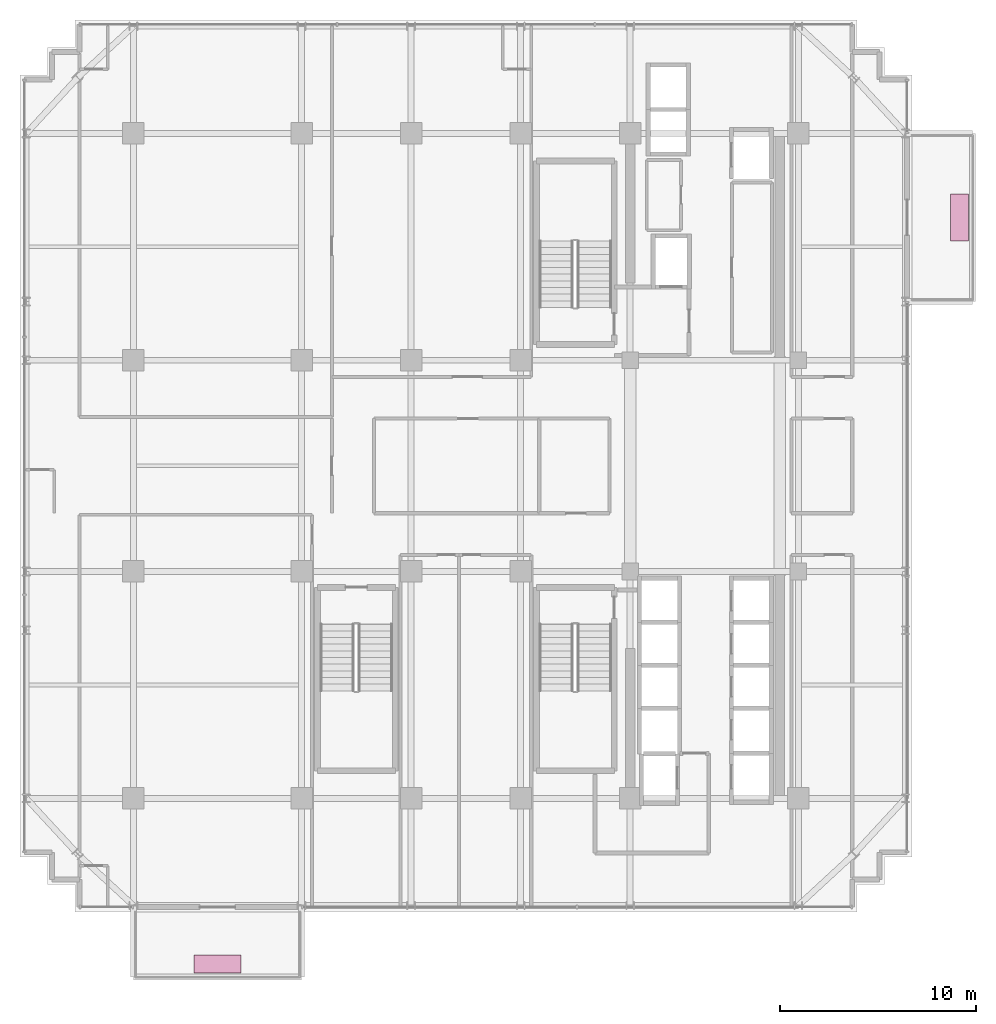
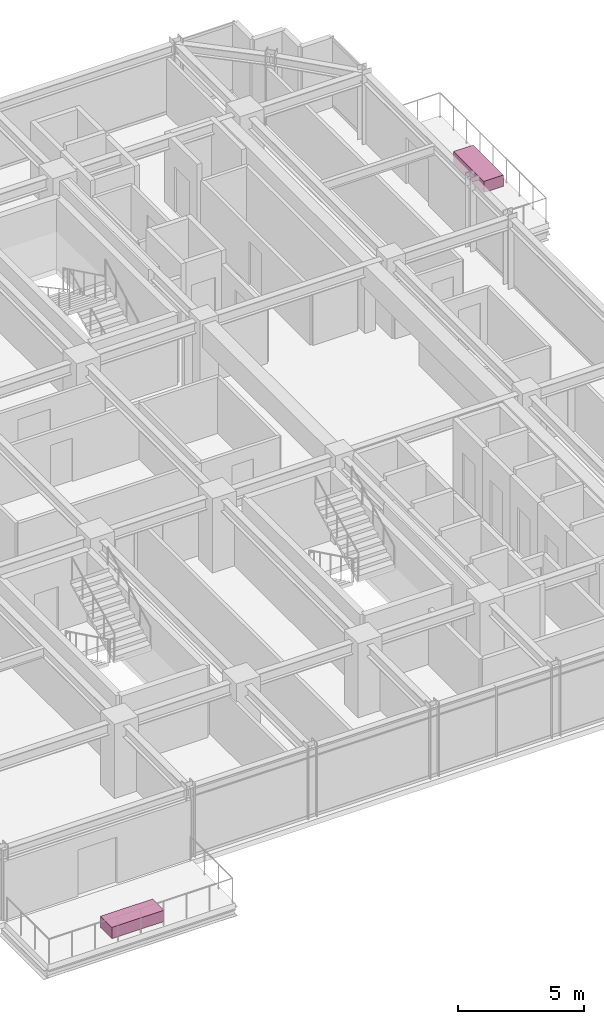
# One storey, part 31 of 31: 2 furnishings.
"""IFC4 building model written with IfcOpenShell, lengths in metres."""

from ifc_helpers import new_model, si_unit, direction, frame, origin, origin_2d, place, context, subcontext, project, spatial, rectangle, extrude, source, transform, mapped, material, type_object, element, save


model = new_model("IFC4")

# Units and contexts
model_context = context("Model", 3, precision=1e-05, world=origin(), true_north=direction((0.0, 1.0)))
body_context = subcontext(model_context, "Body", "Model", "MODEL_VIEW")
ifc_project = project(units=[si_unit("LENGTHUNIT", "METRE"), si_unit("AREAUNIT", "SQUARE_METRE"), si_unit("VOLUMEUNIT", "CUBIC_METRE"), si_unit("PLANEANGLEUNIT", "RADIAN"), si_unit("MASSUNIT", "GRAM", prefix="KILO")], contexts=[model_context])

# Site, building, storey
site_placement = place(None, origin())
site = spatial("IfcSite", under=ifc_project, at=site_placement, CompositionType="ELEMENT")
building_placement = place(site_placement, origin())
building = spatial("IfcBuilding", under=site, at=building_placement, Name="Nahalor Promenade Grand Hotel", CompositionType="ELEMENT")
storey_placement = place(building_placement, frame((0.0, 0.0, 192.800048828125)))
storey = spatial("IfcBuildingStorey", under=building, at=storey_placement, Name="L49", CompositionType="ELEMENT", Elevation=192.800048828125)

# Furnishings
ifc_material = material(Name="Vegetated Volcanic-Lapilli Tree Planter", Category="earth")
furnishing_element_type = type_object("IfcFurnishingElementType", Name="Planter-VerticalForest-Box", material=ifc_material)
shared_shape = source(origin(), body_context, "Body", "SweptSolid", [
    extrude(rectangle(XDim=2.39990234375, YDim=0.89990234375, at=origin_2d()), origin(), (0.0, 0.0, 1.0), 0.550048828125),
])
for number, where, z_axis, x_axis, name in (
    (1, (-12.699951171875, -25.469970703125, 0.0), (0.0, 0.0, 1.0), (1.0, 0.0, 0.0), "L49 Balcony Structural Tree Planter 1"),
    (2, (25.239990234375, 12.699951171875, 0.0), (0.0, 0.0, 1.0), (0.0, 1.0, 0.0), "L49 Balcony Structural Tree Planter 2"),
):
    element("IfcFurnishingElement", number, at=place(storey_placement, frame(where, z_axis=z_axis, x_axis=x_axis)), inside=storey, type_object=furnishing_element_type, Name=name, ObjectType="PLANTER", context=body_context, shape_type="MappedRepresentation", body=[
        mapped(shared_shape, transform((0.0, 0.0, 0.0), scale=1.0)),
    ])

save(model, "model.ifc")
